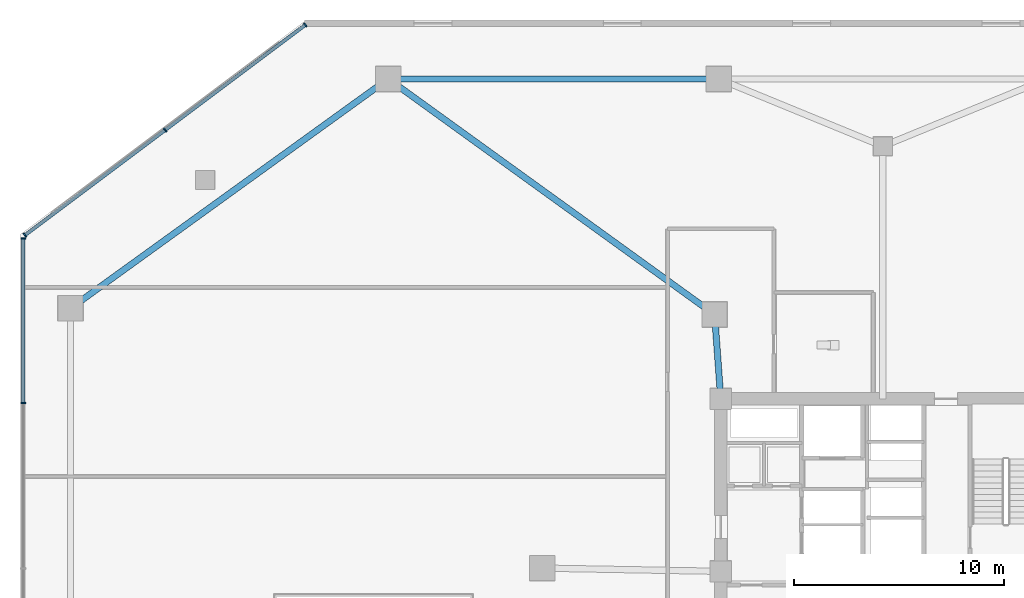
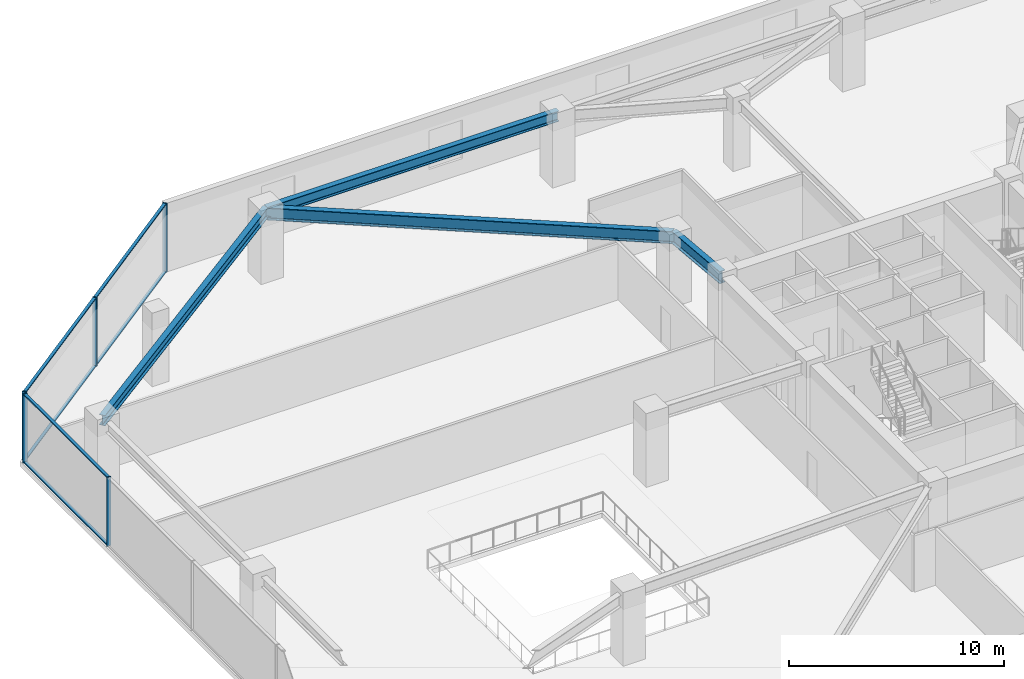
# One storey, part 6 of 22: 11 members, 4 beams, 2 elements without a shape of their own.
"""IFC4 building model written with IfcOpenShell, lengths in metres."""

from ifc_helpers import new_model, si_unit, direction, frame, origin, origin_2d, place, context, subcontext, project, spatial, rectangle, i_section, extrude, material, material_profile, profile_set, type_object, element, aggregate, save


model = new_model("IFC4")

# Units and contexts
model_context = context("Model", 3, precision=1e-05, world=origin(), true_north=direction((0.0, 1.0)))
body_context = subcontext(model_context, "Body", "Model", "MODEL_VIEW")
ifc_project = project(units=[si_unit("LENGTHUNIT", "METRE"), si_unit("AREAUNIT", "SQUARE_METRE"), si_unit("VOLUMEUNIT", "CUBIC_METRE"), si_unit("PLANEANGLEUNIT", "RADIAN"), si_unit("MASSUNIT", "GRAM", prefix="KILO")], contexts=[model_context])

# Site, building, storey
site_placement = place(None, origin())
site = spatial("IfcSite", under=ifc_project, at=site_placement, CompositionType="ELEMENT")
building_placement = place(site_placement, origin())
building = spatial("IfcBuilding", under=site, at=building_placement, Name="Savorim Split Tower", CompositionType="ELEMENT")
storey_placement = place(building_placement, frame((0.0, 0.0, 13.39990234375)))
storey = spatial("IfcBuildingStorey", under=building, at=storey_placement, Name="L03", CompositionType="ELEMENT", Elevation=13.39990234375)

# Beams
ifc_material_1 = material(Name="Steel S355", Category="steel")
ifc_material_profile_1 = material_profile(ifc_material_1, i_section(OverallWidth=0.300048828125, OverallDepth=0.699951171875, WebThickness=0.01708984375, FlangeThickness=0.031982421875, FilletRadius=0.027099609375, at=origin_2d()), Name="HEB 700")
ifc_profile_set_1 = profile_set([ifc_material_profile_1], Name="Steel S355")
beam_type_1 = type_object("IfcBeamType", Name="BM-PRI-HEB700", PredefinedType="BEAM", material=ifc_profile_set_1)
beam_1_placement = place(storey_placement, frame((-23.5, 25.39990234375, 3.570068359375), z_axis=(0.810720623397, -0.585433233426, 0.0), x_axis=(0.585433233426, 0.810720623397, 0.0)))
element("IfcBeam", 1, at=beam_1_placement, inside=storey, type_object=beam_type_1, Name="L03 Podium Primary Girder BG-15", PredefinedType="BEAM", context=body_context, shape_type="SweptSolid", body=[
    extrude(i_section(OverallWidth=0.300048828125, OverallDepth=0.699951171875, WebThickness=0.01708984375, FlangeThickness=0.031982421875, FilletRadius=0.027099609375, at=origin_2d()), origin(), (0.0, 0.0, 1.0), 19.128173828125),
])
beam_2_placement = place(storey_placement, frame((-7.992431640625, 14.20166015625, 3.570068359375), z_axis=(0.072894449016, -0.997339660949, 0.0), x_axis=(0.997339660949, 0.072894449016, 0.0)))
element("IfcBeam", 2, at=beam_2_placement, inside=storey, type_object=beam_type_1, Name="L03 Podium Primary Girder BG-29", PredefinedType="BEAM", context=body_context, shape_type="SweptSolid", body=[
    extrude(i_section(OverallWidth=0.300048828125, OverallDepth=0.699951171875, WebThickness=0.01708984375, FlangeThickness=0.031982421875, FilletRadius=0.027099609375, at=origin_2d()), origin(), (0.0, 0.0, 1.0), 4.012451171875),
])
ifc_material_profile_2 = material_profile(ifc_material_1, i_section(OverallWidth=0.300048828125, OverallDepth=0.590087890625, WebThickness=0.012939453125, FlangeThickness=0.02490234375, FilletRadius=0.027099609375, at=origin_2d()), Name="HEA 600")
ifc_profile_set_2 = profile_set([ifc_material_profile_2], Name="Steel S355")
beam_type_2 = type_object("IfcBeamType", Name="BM-SPN-HEA600", PredefinedType="SPANDREL", material=ifc_profile_set_2)
beam_3_placement = place(storey_placement, frame((-7.800048828125, 25.39990234375, 3.625), z_axis=(-1.0, 0.0, 0.0), x_axis=(0.0, -1.0, 0.0)))
element("IfcBeam", 3, at=beam_3_placement, inside=storey, type_object=beam_type_2, Name="L03 Podium Spandrel Beam 8", PredefinedType="SPANDREL", context=body_context, shape_type="SweptSolid", body=[
    extrude(i_section(OverallWidth=0.300048828125, OverallDepth=0.590087890625, WebThickness=0.012939453125, FlangeThickness=0.02490234375, FilletRadius=0.027099609375, at=origin_2d()), origin(), (0.0, 0.0, 1.0), 15.699951171875),
])
beam_4_placement = place(storey_placement, frame((-23.5, 25.39990234375, 3.625), z_axis=(-0.810825083438, -0.585288547699, 0.0), x_axis=(0.585288547699, -0.810825083438, 0.0)))
element("IfcBeam", 4, at=beam_4_placement, inside=storey, type_object=beam_type_2, Name="L03 Podium Spandrel Beam 9", PredefinedType="SPANDREL", context=body_context, shape_type="SweptSolid", body=[
    extrude(i_section(OverallWidth=0.300048828125, OverallDepth=0.590087890625, WebThickness=0.012939453125, FlangeThickness=0.02490234375, FilletRadius=0.027099609375, at=origin_2d()), origin(), (0.0, 0.0, 1.0), 18.623046875),
])

# Curtain wall, members
ifc_material_2 = material(Name="Dark Ceramic-Fritted Insulated Glass", Category="glass")
curtain_wall_type = type_object("IfcCurtainWallType", Name="CW-POD-GLZ", PredefinedType="NOTDEFINED", material=ifc_material_2)
curtain_wall_1_placement = place(storey_placement, origin())
curtain_wall_1 = element("IfcCurtainWall", 5, at=curtain_wall_1_placement, inside=storey, type_object=curtain_wall_type, Name="L03 Curtain Wall CW-L03-E09", PredefinedType="NOTDEFINED")
ifc_material_3 = material(Name="Charcoal Anodised Aluminium", Category="aluminium")
ifc_material_profile_3 = material_profile(ifc_material_3, rectangle(XDim=0.219970703125, YDim=0.070068359375, at=origin_2d()), Name="ALU-M 220x70")
ifc_profile_set_3 = profile_set([ifc_material_profile_3], Name="Charcoal Anodised Aluminium")
member_type_1 = type_object("IfcMemberType", Name="CWM-220x70", PredefinedType="MULLION", material=ifc_profile_set_3)
member_1_placement = place(storey_placement, frame((-27.444091796875, 27.967041015625, 0.0), z_axis=(0.0, 0.0, 1.0), x_axis=(0.600000000002, -0.799999999998, 0.0)))
member_1 = element("IfcMember", 6, at=member_1_placement, type_object=member_type_1, Name="CW-01 mullion 1", PredefinedType="MULLION", context=body_context, shape_type="SweptSolid", body=[
    extrude(rectangle(XDim=0.219970703125, YDim=0.070068359375, at=origin_2d()), origin(), (0.0, 0.0, 1.0), 3.920166015625),
])
member_2_placement = place(storey_placement, frame((-34.10400390625, 22.971923828125, 0.0), z_axis=(0.0, 0.0, 1.0), x_axis=(0.600000000002, -0.799999999998, 0.0)))
member_2 = element("IfcMember", 7, at=member_2_placement, type_object=member_type_1, Name="CW-01 mullion 2", PredefinedType="MULLION", context=body_context, shape_type="SweptSolid", body=[
    extrude(rectangle(XDim=0.219970703125, YDim=0.070068359375, at=origin_2d()), origin(), (0.0, 0.0, 1.0), 3.920166015625),
])
member_3_placement = place(storey_placement, frame((-40.763916015625, 17.97705078125, 0.0), z_axis=(0.0, 0.0, 1.0), x_axis=(0.600000000002, -0.799999999998, 0.0)))
member_3 = element("IfcMember", 8, at=member_3_placement, type_object=member_type_1, Name="CW-01 mullion 3", PredefinedType="MULLION", context=body_context, shape_type="SweptSolid", body=[
    extrude(rectangle(XDim=0.219970703125, YDim=0.070068359375, at=origin_2d()), origin(), (0.0, 0.0, 1.0), 3.920166015625),
])

curtain_wall_2_placement = place(storey_placement, origin())
curtain_wall_2 = element("IfcCurtainWall", 9, at=curtain_wall_2_placement, inside=storey, type_object=curtain_wall_type, Name="L03 Curtain Wall CW-L03-E10", PredefinedType="NOTDEFINED")
member_4_placement = place(storey_placement, frame((-40.840087890625, 17.824951171875, 0.0), z_axis=(0.0, 0.0, 1.0), x_axis=(1.0, 0.0, 0.0)))
member_4 = element("IfcMember", 10, at=member_4_placement, type_object=member_type_1, Name="CW-01 mullion 1", PredefinedType="MULLION", context=body_context, shape_type="SweptSolid", body=[
    extrude(rectangle(XDim=0.219970703125, YDim=0.070068359375, at=origin_2d()), origin(), (0.0, 0.0, 1.0), 3.920166015625),
])
member_5_placement = place(storey_placement, frame((-40.840087890625, 9.99609375, 0.0), z_axis=(0.0, 0.0, 1.0), x_axis=(1.0, 0.0, 0.0)))
member_5 = element("IfcMember", 11, at=member_5_placement, type_object=member_type_1, Name="CW-01 mullion 2", PredefinedType="MULLION", context=body_context, shape_type="SweptSolid", body=[
    extrude(rectangle(XDim=0.219970703125, YDim=0.070068359375, at=origin_2d()), origin(), (0.0, 0.0, 1.0), 3.920166015625),
])

# Member
ifc_material_profile_4 = material_profile(ifc_material_3, rectangle(XDim=0.159912109375, YDim=0.06005859375, at=origin_2d()), Name="ALU-T 160x60")
ifc_profile_set_4 = profile_set([ifc_material_profile_4], Name="Charcoal Anodised Aluminium")
member_type_2 = type_object("IfcMemberType", Name="CWT-160x60", PredefinedType="USERDEFINED", material=ifc_profile_set_4)
member_6_placement = place(storey_placement, frame((-27.471923828125, 27.946044921875, 0.030029296875), z_axis=(-0.79999290204, -0.60000946383, 0.0), x_axis=(0.60000946383, -0.79999290204, 0.0)))
member_6 = element("IfcMember", 12, at=member_6_placement, type_object=member_type_2, Name="CW-01 transom 1.1", ObjectType="TRANSOM", PredefinedType="USERDEFINED", context=body_context, shape_type="SweptSolid", body=[
    extrude(rectangle(XDim=0.159912109375, YDim=0.06005859375, at=origin_2d()), origin(), (0.0, 0.0, 1.0), 8.255126953125),
])

member_7_placement = place(storey_placement, frame((-27.471923828125, 27.946044921875, 3.89013671875), z_axis=(-0.79999290204, -0.60000946383, 0.0), x_axis=(0.60000946383, -0.79999290204, 0.0)))
member_7 = element("IfcMember", 13, at=member_7_placement, type_object=member_type_2, Name="CW-01 transom 1.2", ObjectType="TRANSOM", PredefinedType="USERDEFINED", context=body_context, shape_type="SweptSolid", body=[
    extrude(rectangle(XDim=0.159912109375, YDim=0.06005859375, at=origin_2d()), origin(), (0.0, 0.0, 1.0), 8.255126953125),
])

member_8_placement = place(storey_placement, frame((-34.132080078125, 22.950927734375, 0.030029296875), z_axis=(-0.800007097974, -0.599990535918, 0.0), x_axis=(0.599990535918, -0.800007097974, 0.0)))
member_8 = element("IfcMember", 14, at=member_8_placement, type_object=member_type_2, Name="CW-01 transom 2.1", ObjectType="TRANSOM", PredefinedType="USERDEFINED", context=body_context, shape_type="SweptSolid", body=[
    extrude(rectangle(XDim=0.159912109375, YDim=0.06005859375, at=origin_2d()), origin(), (0.0, 0.0, 1.0), 8.2548828125),
])

member_9_placement = place(storey_placement, frame((-34.132080078125, 22.950927734375, 3.89013671875), z_axis=(-0.800007097974, -0.599990535918, 0.0), x_axis=(0.599990535918, -0.800007097974, 0.0)))
member_9 = element("IfcMember", 15, at=member_9_placement, type_object=member_type_2, Name="CW-01 transom 2.2", ObjectType="TRANSOM", PredefinedType="USERDEFINED", context=body_context, shape_type="SweptSolid", body=[
    extrude(rectangle(XDim=0.159912109375, YDim=0.06005859375, at=origin_2d()), origin(), (0.0, 0.0, 1.0), 8.2548828125),
])

aggregate(curtain_wall_1, [member_1, member_2, member_3, member_6, member_7, member_8, member_9])

member_10_placement = place(storey_placement, frame((-40.840087890625, 17.7900390625, 0.030029296875), z_axis=(0.0, -1.0, 0.0), x_axis=(1.0, 0.0, 0.0)))
member_10 = element("IfcMember", 16, at=member_10_placement, type_object=member_type_2, Name="CW-01 transom 1.1", ObjectType="TRANSOM", PredefinedType="USERDEFINED", context=body_context, shape_type="SweptSolid", body=[
    extrude(rectangle(XDim=0.159912109375, YDim=0.06005859375, at=origin_2d()), origin(), (0.0, 0.0, 1.0), 7.759033203125),
])

member_11_placement = place(storey_placement, frame((-40.840087890625, 17.7900390625, 3.89013671875), z_axis=(0.0, -1.0, 0.0), x_axis=(1.0, 0.0, 0.0)))
member_11 = element("IfcMember", 17, at=member_11_placement, type_object=member_type_2, Name="CW-01 transom 1.2", ObjectType="TRANSOM", PredefinedType="USERDEFINED", context=body_context, shape_type="SweptSolid", body=[
    extrude(rectangle(XDim=0.159912109375, YDim=0.06005859375, at=origin_2d()), origin(), (0.0, 0.0, 1.0), 7.759033203125),
])

aggregate(curtain_wall_2, [member_4, member_5, member_10, member_11])

save(model, "model.ifc")
